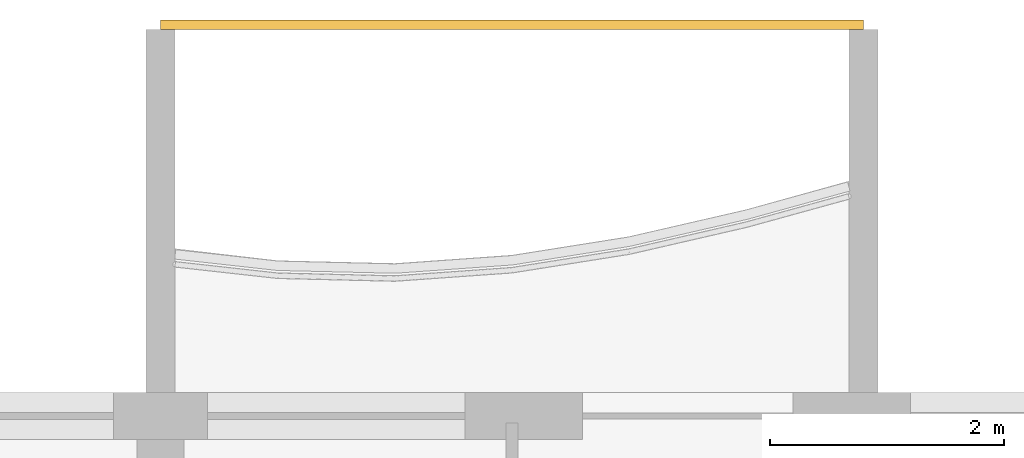
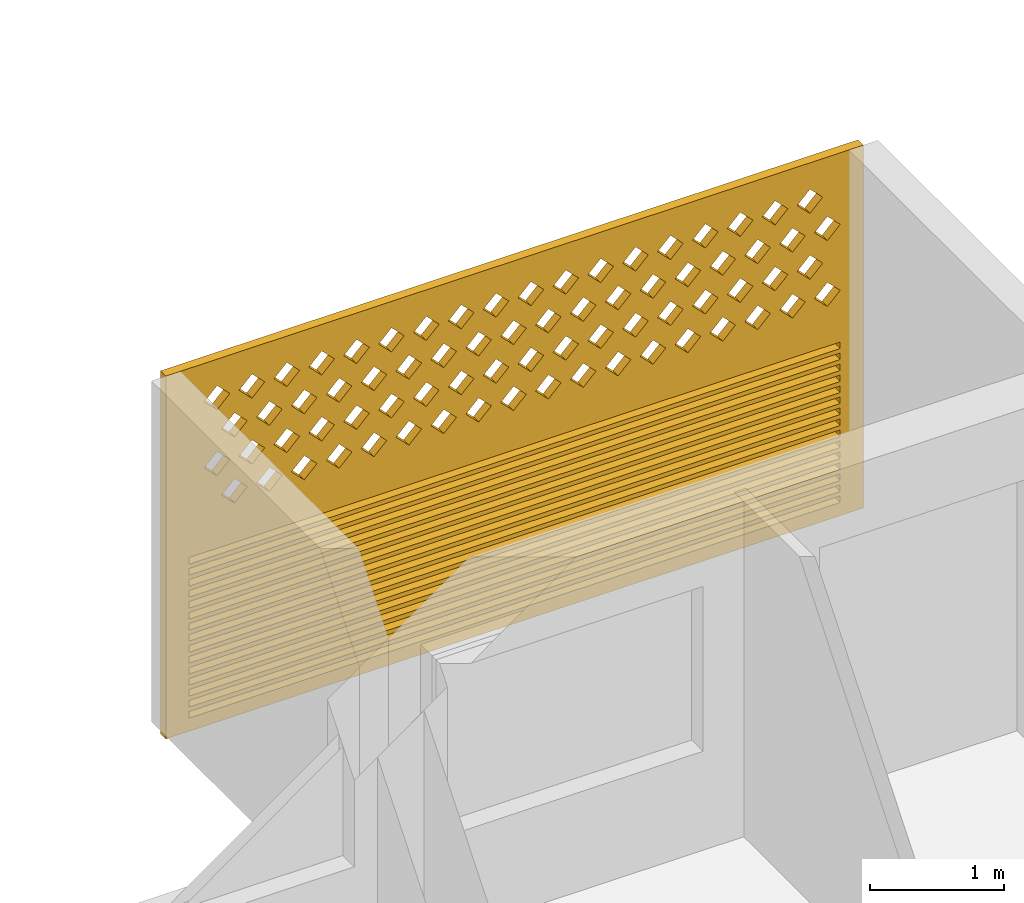
# One storey, part 31 of 40: 1 covering.
"""IFC4 building model written with IfcOpenShell, lengths in metres."""

import ifcopenshell
import ifcopenshell.guid

model = None  # the IFC model being written
_history = None  # IfcOwnerHistory: only IFC2X3 demands one
_inside = {}  # id of a spatial element -> (the spatial element, [elements in it])
_under = {}  # id of a project, library or spatial element -> (it, [spatial elements below it])
_declared = {}  # id of a project -> (the project, [libraries it declares])
_typed = {}  # id of a type object -> (the type object, [elements of that type])
_made_of = {}  # id of a material, layer set ... -> (it, [elements and type objects made of it])


def new_model(schema):
    """Start an empty IFC model of exactly this schema.

    Asked for "IFC4X3", IfcOpenShell would pick the latest addendum, in which some entities
    have other attributes; the version numbers below select the first issue.
    IFC2X3 requires an IfcOwnerHistory on every rooted entity: one is made here for all.
    """
    global model, _history
    if schema == "IFC4X3":
        model = ifcopenshell.file(schema_version=(4, 3, 0, 0))
    else:
        model = ifcopenshell.file(schema=schema)
    _inside.clear()
    _under.clear()
    _declared.clear()
    _typed.clear()
    _made_of.clear()
    _history = None
    if model.schema == "IFC2X3":
        org = make("IfcOrganization", Name="unknown")
        user = make(
            "IfcPersonAndOrganization",
            ThePerson=make("IfcPerson", FamilyName="unknown"),
            TheOrganization=org,
        )
        app = make(
            "IfcApplication",
            ApplicationDeveloper=org,
            Version="unknown",
            ApplicationFullName="unknown",
            ApplicationIdentifier="unknown",
        )
        _history = make(
            "IfcOwnerHistory",
            OwningUser=user,
            OwningApplication=app,
            ChangeAction="ADDED",
            CreationDate=0,
        )
    return model


def make(cls, **values):
    """One entity of the class cls with the attributes given. An attribute that is None is left unset."""
    return model.create_entity(
        cls, **{name: value for name, value in values.items() if value is not None}
    )


def rooted(cls, **values):
    """An entity with a GlobalId (a new one), such as an element, a storey or a relation."""
    return make(cls, GlobalId=ifcopenshell.guid.new(), OwnerHistory=_history, **values)


def si_unit(unit_type, name, prefix=None):
    """IfcSIUnit, for example si_unit("LENGTHUNIT", "METRE", prefix="MILLI")."""
    return make("IfcSIUnit", UnitType=unit_type, Prefix=prefix, Name=name)


def assignment(units):
    """IfcUnitAssignment: the units of a project."""
    return None if units is None else make("IfcUnitAssignment", Units=units)


def point(xyz):
    """IfcCartesianPoint."""
    return None if xyz is None else make("IfcCartesianPoint", Coordinates=xyz)


def direction(xyz):
    """IfcDirection."""
    return None if xyz is None else make("IfcDirection", DirectionRatios=xyz)


def frame(location, z_axis=None, x_axis=None):
    """IfcAxis2Placement3D, a coordinate frame: its origin and axes. An axis left out is left unset."""
    return make(
        "IfcAxis2Placement3D",
        Location=point(location),
        Axis=direction(z_axis),
        RefDirection=direction(x_axis),
    )


def origin():
    """The frame at (0, 0, 0) with its axes left unset."""
    return frame((0.0, 0.0, 0.0))


def place(relative_to, where):
    """IfcLocalPlacement: puts the frame where relative to a parent placement (None: the world)."""
    return make(
        "IfcLocalPlacement", PlacementRelTo=relative_to, RelativePlacement=where
    )


def context(
    kind, dimensions, precision=None, world=None, true_north=None, identifier=None
):
    """IfcGeometricRepresentationContext, for example the 3D "Model" context."""
    return make(
        "IfcGeometricRepresentationContext",
        ContextIdentifier=identifier,
        ContextType=kind,
        CoordinateSpaceDimension=dimensions,
        Precision=precision,
        WorldCoordinateSystem=world,
        TrueNorth=true_north,
    )


def subcontext(parent, identifier, kind, view, scale=None):
    """IfcGeometricRepresentationSubContext, for example "Body" below "Model"."""
    return make(
        "IfcGeometricRepresentationSubContext",
        ContextIdentifier=identifier,
        ContextType=kind,
        ParentContext=parent,
        TargetScale=scale,
        TargetView=view,
    )


def project(units=None, contexts=None):
    """IfcProject with its units and contexts."""
    return rooted(
        "IfcProject",
        Name="project",
        RepresentationContexts=contexts,
        UnitsInContext=assignment(units),
    )


def spatial(cls, under=None, at=None, **own):
    """A site, building, storey or space (cls), placed at a placement, below another one or the project."""
    s = rooted(cls, ObjectPlacement=at, **own)
    if under is not None:
        _under.setdefault(under.id(), (under, []))[1].append(s)
    return s


def polyline(points):
    """IfcPolyline through the points."""
    return make("IfcPolyline", Points=[point(p) for p in points])


def outline(outer, holes=None, kind="AREA"):
    """IfcArbitraryClosedProfileDef: a profile drawn as a closed curve; with holes, ...WithVoids."""
    if holes is None:
        return make("IfcArbitraryClosedProfileDef", ProfileType=kind, OuterCurve=outer)
    return make(
        "IfcArbitraryProfileDefWithVoids",
        ProfileType=kind,
        OuterCurve=outer,
        InnerCurves=holes,
    )


def extrude(swept, where, along, depth):
    """IfcExtrudedAreaSolid: the profile swept, set in the frame where, extruded along a direction by depth."""
    return make(
        "IfcExtrudedAreaSolid",
        SweptArea=swept,
        Position=where,
        ExtrudedDirection=direction(along),
        Depth=depth,
    )


def shape(context_of_items, identifier, shape_type, items):
    """IfcShapeRepresentation: the items that make up one representation, for example the "Body"."""
    return make(
        "IfcShapeRepresentation",
        ContextOfItems=context_of_items,
        RepresentationIdentifier=identifier,
        RepresentationType=shape_type,
        Items=items,
    )


def source(mapping_origin, context_of_items, identifier, shape_type, items):
    """IfcRepresentationMap: a shape defined once, which mapped items show again and again."""
    return make(
        "IfcRepresentationMap",
        MappingOrigin=mapping_origin,
        MappedRepresentation=shape(context_of_items, identifier, shape_type, items),
    )


def transform(
    local_origin,
    x_axis=None,
    y_axis=None,
    z_axis=None,
    scale=None,
    scale2=None,
    scale3=None,
    uniform=True,
):
    """IfcCartesianTransformationOperator3D, or its non-uniform kind. x_axis, y_axis, z_axis: its Axis1, 2, 3."""
    if uniform:
        return make(
            "IfcCartesianTransformationOperator3D",
            Axis1=direction(x_axis),
            Axis2=direction(y_axis),
            LocalOrigin=point(local_origin),
            Scale=scale,
            Axis3=direction(z_axis),
        )
    return make(
        "IfcCartesianTransformationOperator3DnonUniform",
        Axis1=direction(x_axis),
        Axis2=direction(y_axis),
        LocalOrigin=point(local_origin),
        Scale=scale,
        Axis3=direction(z_axis),
        Scale2=scale2,
        Scale3=scale3,
    )


def mapped(mapping_source, mapping_target):
    """IfcMappedItem: shows the shape of a source again, moved by a transform."""
    return make(
        "IfcMappedItem", MappingSource=mapping_source, MappingTarget=mapping_target
    )


def material(Name=None, Category=None):
    """IfcMaterial."""
    return make("IfcMaterial", Name=Name, Category=Category)


def material_profile(
    of_material, cross_section, Name=None, Category=None, Priority=None
):
    """IfcMaterialProfile: a cross section and its material."""
    return make(
        "IfcMaterialProfile",
        Name=Name,
        Material=of_material,
        Profile=cross_section,
        Priority=Priority,
        Category=Category,
    )


def profile_set(profiles, Name=None, composite=None):
    """IfcMaterialProfileSet."""
    return make(
        "IfcMaterialProfileSet",
        Name=Name,
        MaterialProfiles=profiles,
        CompositeProfile=composite,
    )


def made_of(thing, what):
    """Note that an element or type object is made of a material, layer set ...; save() writes the relation."""
    if what is not None:
        _made_of.setdefault(what.id(), (what, []))[1].append(thing)
    return thing


def type_object(cls, material=None, **own):
    """A type object (cls), such as IfcWallType, which elements share."""
    return made_of(rooted(cls, **own), material)


def element(
    cls,
    number,
    at=None,
    inside=None,
    cuts=None,
    type_object=None,
    material=None,
    context=None,
    identifier="Body",
    shape_type=None,
    held_by="IfcProductDefinitionShape",
    body=None,
    shapes=None,
    **own,
):
    """One element of the class cls, such as IfcWall. Its Tag is "e" and its number.

    at: its placement. inside: the storey or other place that contains it. cuts: it is an
    opening in that element (IfcRelVoidsElement). A single representation is given by context,
    identifier, shape_type and body (its items); several are given by shapes. held_by: the class
    of the entity that holds the representations. save() writes the other relations.
    """
    e = rooted(cls, Tag="e%d" % number, ObjectPlacement=at, **own)
    if body is not None:
        shapes = [shape(context, identifier, shape_type, body)]
    if shapes is not None:
        e.Representation = make(held_by, Representations=shapes)
    if inside is not None:
        _inside.setdefault(inside.id(), (inside, []))[1].append(e)
    if cuts is not None:
        rooted(
            "IfcRelVoidsElement", RelatingBuildingElement=cuts, RelatedOpeningElement=e
        )
    if type_object is not None:
        _typed.setdefault(type_object.id(), (type_object, []))[1].append(e)
    return made_of(e, material)


def aggregate(whole, parts):
    """IfcRelAggregates: a whole, such as a stair, and the parts it consists of."""
    return rooted("IfcRelAggregates", RelatingObject=whole, RelatedObjects=parts)


def save(model, path):
    """Write the relations noted so far, then the file.

    IfcRelAggregates (storeys below a building ...), IfcRelContainedInSpatialStructure (elements
    in a storey), IfcRelDefinesByType, IfcRelAssociatesMaterial and IfcRelDeclares: one each for
    every whole, place, type object, material and project.
    """
    for whole, parts in _under.values():
        aggregate(whole, parts)
    for where, things in _inside.values():
        rooted(
            "IfcRelContainedInSpatialStructure",
            RelatedElements=things,
            RelatingStructure=where,
        )
    for kind, things in _typed.values():
        rooted("IfcRelDefinesByType", RelatedObjects=things, RelatingType=kind)
    for what, things in _made_of.values():
        rooted("IfcRelAssociatesMaterial", RelatedObjects=things, RelatingMaterial=what)
    for by, libraries in _declared.values():
        rooted("IfcRelDeclares", RelatingContext=by, RelatedDefinitions=libraries)
    model.write(path)


model = new_model("IFC4")

# Units and contexts
model_context = context("Model", 3, precision=1e-05, world=origin(), true_north=direction((0.0, 1.0)))
body_context = subcontext(model_context, "Body", "Model", "MODEL_VIEW")
ifc_project = project(units=[si_unit("LENGTHUNIT", "METRE"), si_unit("AREAUNIT", "SQUARE_METRE"), si_unit("VOLUMEUNIT", "CUBIC_METRE"), si_unit("PLANEANGLEUNIT", "RADIAN"), si_unit("MASSUNIT", "GRAM", prefix="KILO")], contexts=[model_context])

# Site, building, storey
site_placement = place(None, origin())
site = spatial("IfcSite", under=ifc_project, at=site_placement, CompositionType="ELEMENT")
building_placement = place(site_placement, origin())
building = spatial("IfcBuilding", under=site, at=building_placement, Name="Poui Terraces", CompositionType="ELEMENT")
storey_placement = place(building_placement, frame((0.0, 0.0, 33.300048828125)))
storey = spatial("IfcBuildingStorey", under=building, at=storey_placement, Name="L08", CompositionType="ELEMENT", Elevation=33.300048828125)

# Covering
ifc_material = material(Name="Terracotta screen", Category="masonry")
ifc_material_profile = material_profile(ifc_material, outline(polyline([(-3.0, -1.64990234375), (3.0, -1.64990234375), (3.0, 1.64990234375), (-3.0, 1.64990234375), (-3.0, -1.64990234375)]), holes=[polyline([(-2.800048828125, 0.39990234375), (-2.68994140625, 0.2900390625), (-2.580078125, 0.39990234375), (-2.68994140625, 0.510009765625), (-2.800048828125, 0.39990234375)]), polyline([(-2.5, 0.39990234375), (-2.389892578125, 0.2900390625), (-2.280029296875, 0.39990234375), (-2.389892578125, 0.510009765625), (-2.5, 0.39990234375)]), polyline([(-2.199951171875, 0.39990234375), (-2.090087890625, 0.2900390625), (-1.97998046875, 0.39990234375), (-2.090087890625, 0.510009765625), (-2.199951171875, 0.39990234375)]), polyline([(-1.89990234375, 0.39990234375), (-1.7900390625, 0.2900390625), (-1.679931640625, 0.39990234375), (-1.7900390625, 0.510009765625), (-1.89990234375, 0.39990234375)]), polyline([(-1.60009765625, 0.39990234375), (-1.489990234375, 0.2900390625), (-1.3798828125, 0.39990234375), (-1.489990234375, 0.510009765625), (-1.60009765625, 0.39990234375)]), polyline([(-1.300048828125, 0.39990234375), (-1.18994140625, 0.2900390625), (-1.080078125, 0.39990234375), (-1.18994140625, 0.510009765625), (-1.300048828125, 0.39990234375)]), polyline([(-1.0, 0.39990234375), (-0.889892578125, 0.2900390625), (-0.780029296875, 0.39990234375), (-0.889892578125, 0.510009765625), (-1.0, 0.39990234375)]), polyline([(-0.699951171875, 0.39990234375), (-0.590087890625, 0.2900390625), (-0.47998046875, 0.39990234375), (-0.590087890625, 0.510009765625), (-0.699951171875, 0.39990234375)]), polyline([(-0.39990234375, 0.39990234375), (-0.2900390625, 0.2900390625), (-0.179931640625, 0.39990234375), (-0.2900390625, 0.510009765625), (-0.39990234375, 0.39990234375)]), polyline([(-0.10009765625, 0.39990234375), (0.010009765625, 0.2900390625), (0.1201171875, 0.39990234375), (0.010009765625, 0.510009765625), (-0.10009765625, 0.39990234375)]), polyline([(0.199951171875, 0.39990234375), (0.31005859375, 0.2900390625), (0.419921875, 0.39990234375), (0.31005859375, 0.510009765625), (0.199951171875, 0.39990234375)]), polyline([(0.5, 0.39990234375), (0.610107421875, 0.2900390625), (0.719970703125, 0.39990234375), (0.610107421875, 0.510009765625), (0.5, 0.39990234375)]), polyline([(0.800048828125, 0.39990234375), (0.909912109375, 0.2900390625), (1.02001953125, 0.39990234375), (0.909912109375, 0.510009765625), (0.800048828125, 0.39990234375)]), polyline([(1.10009765625, 0.39990234375), (1.2099609375, 0.2900390625), (1.320068359375, 0.39990234375), (1.2099609375, 0.510009765625), (1.10009765625, 0.39990234375)]), polyline([(1.39990234375, 0.39990234375), (1.510009765625, 0.2900390625), (1.6201171875, 0.39990234375), (1.510009765625, 0.510009765625), (1.39990234375, 0.39990234375)]), polyline([(1.699951171875, 0.39990234375), (1.81005859375, 0.2900390625), (1.919921875, 0.39990234375), (1.81005859375, 0.510009765625), (1.699951171875, 0.39990234375)]), polyline([(2.0, 0.39990234375), (2.110107421875, 0.2900390625), (2.219970703125, 0.39990234375), (2.110107421875, 0.510009765625), (2.0, 0.39990234375)]), polyline([(2.300048828125, 0.39990234375), (2.409912109375, 0.2900390625), (2.52001953125, 0.39990234375), (2.409912109375, 0.510009765625), (2.300048828125, 0.39990234375)]), polyline([(-2.64990234375, 0.699951171875), (-2.5400390625, 0.590087890625), (-2.429931640625, 0.699951171875), (-2.5400390625, 0.81005859375), (-2.64990234375, 0.699951171875)]), polyline([(-2.35009765625, 0.699951171875), (-2.239990234375, 0.590087890625), (-2.1298828125, 0.699951171875), (-2.239990234375, 0.81005859375), (-2.35009765625, 0.699951171875)]), polyline([(-2.050048828125, 0.699951171875), (-1.93994140625, 0.590087890625), (-1.830078125, 0.699951171875), (-1.93994140625, 0.81005859375), (-2.050048828125, 0.699951171875)]), polyline([(-1.75, 0.699951171875), (-1.639892578125, 0.590087890625), (-1.530029296875, 0.699951171875), (-1.639892578125, 0.81005859375), (-1.75, 0.699951171875)]), polyline([(-1.449951171875, 0.699951171875), (-1.340087890625, 0.590087890625), (-1.22998046875, 0.699951171875), (-1.340087890625, 0.81005859375), (-1.449951171875, 0.699951171875)]), polyline([(-1.14990234375, 0.699951171875), (-1.0400390625, 0.590087890625), (-0.929931640625, 0.699951171875), (-1.0400390625, 0.81005859375), (-1.14990234375, 0.699951171875)]), polyline([(-0.85009765625, 0.699951171875), (-0.739990234375, 0.590087890625), (-0.6298828125, 0.699951171875), (-0.739990234375, 0.81005859375), (-0.85009765625, 0.699951171875)]), polyline([(-0.550048828125, 0.699951171875), (-0.43994140625, 0.590087890625), (-0.330078125, 0.699951171875), (-0.43994140625, 0.81005859375), (-0.550048828125, 0.699951171875)]), polyline([(-0.25, 0.699951171875), (-0.139892578125, 0.590087890625), (-0.030029296875, 0.699951171875), (-0.139892578125, 0.81005859375), (-0.25, 0.699951171875)]), polyline([(0.050048828125, 0.699951171875), (0.159912109375, 0.590087890625), (0.27001953125, 0.699951171875), (0.159912109375, 0.81005859375), (0.050048828125, 0.699951171875)]), polyline([(0.35009765625, 0.699951171875), (0.4599609375, 0.590087890625), (0.570068359375, 0.699951171875), (0.4599609375, 0.81005859375), (0.35009765625, 0.699951171875)]), polyline([(0.64990234375, 0.699951171875), (0.760009765625, 0.590087890625), (0.8701171875, 0.699951171875), (0.760009765625, 0.81005859375), (0.64990234375, 0.699951171875)]), polyline([(0.949951171875, 0.699951171875), (1.06005859375, 0.590087890625), (1.169921875, 0.699951171875), (1.06005859375, 0.81005859375), (0.949951171875, 0.699951171875)]), polyline([(1.25, 0.699951171875), (1.360107421875, 0.590087890625), (1.469970703125, 0.699951171875), (1.360107421875, 0.81005859375), (1.25, 0.699951171875)]), polyline([(1.550048828125, 0.699951171875), (1.659912109375, 0.590087890625), (1.77001953125, 0.699951171875), (1.659912109375, 0.81005859375), (1.550048828125, 0.699951171875)]), polyline([(1.85009765625, 0.699951171875), (1.9599609375, 0.590087890625), (2.070068359375, 0.699951171875), (1.9599609375, 0.81005859375), (1.85009765625, 0.699951171875)]), polyline([(2.14990234375, 0.699951171875), (2.260009765625, 0.590087890625), (2.3701171875, 0.699951171875), (2.260009765625, 0.81005859375), (2.14990234375, 0.699951171875)]), polyline([(2.449951171875, 0.699951171875), (2.56005859375, 0.590087890625), (2.669921875, 0.699951171875), (2.56005859375, 0.81005859375), (2.449951171875, 0.699951171875)]), polyline([(-2.800048828125, 1.0), (-2.68994140625, 0.889892578125), (-2.580078125, 1.0), (-2.68994140625, 1.110107421875), (-2.800048828125, 1.0)]), polyline([(-2.5, 1.0), (-2.389892578125, 0.889892578125), (-2.280029296875, 1.0), (-2.389892578125, 1.110107421875), (-2.5, 1.0)]), polyline([(-2.199951171875, 1.0), (-2.090087890625, 0.889892578125), (-1.97998046875, 1.0), (-2.090087890625, 1.110107421875), (-2.199951171875, 1.0)]), polyline([(-1.89990234375, 1.0), (-1.7900390625, 0.889892578125), (-1.679931640625, 1.0), (-1.7900390625, 1.110107421875), (-1.89990234375, 1.0)]), polyline([(-1.60009765625, 1.0), (-1.489990234375, 0.889892578125), (-1.3798828125, 1.0), (-1.489990234375, 1.110107421875), (-1.60009765625, 1.0)]), polyline([(-1.300048828125, 1.0), (-1.18994140625, 0.889892578125), (-1.080078125, 1.0), (-1.18994140625, 1.110107421875), (-1.300048828125, 1.0)]), polyline([(-1.0, 1.0), (-0.889892578125, 0.889892578125), (-0.780029296875, 1.0), (-0.889892578125, 1.110107421875), (-1.0, 1.0)]), polyline([(-0.699951171875, 1.0), (-0.590087890625, 0.889892578125), (-0.47998046875, 1.0), (-0.590087890625, 1.110107421875), (-0.699951171875, 1.0)]), polyline([(-0.39990234375, 1.0), (-0.2900390625, 0.889892578125), (-0.179931640625, 1.0), (-0.2900390625, 1.110107421875), (-0.39990234375, 1.0)]), polyline([(-0.10009765625, 1.0), (0.010009765625, 0.889892578125), (0.1201171875, 1.0), (0.010009765625, 1.110107421875), (-0.10009765625, 1.0)]), polyline([(0.199951171875, 1.0), (0.31005859375, 0.889892578125), (0.419921875, 1.0), (0.31005859375, 1.110107421875), (0.199951171875, 1.0)]), polyline([(0.5, 1.0), (0.610107421875, 0.889892578125), (0.719970703125, 1.0), (0.610107421875, 1.110107421875), (0.5, 1.0)]), polyline([(0.800048828125, 1.0), (0.909912109375, 0.889892578125), (1.02001953125, 1.0), (0.909912109375, 1.110107421875), (0.800048828125, 1.0)]), polyline([(1.10009765625, 1.0), (1.2099609375, 0.889892578125), (1.320068359375, 1.0), (1.2099609375, 1.110107421875), (1.10009765625, 1.0)]), polyline([(1.39990234375, 1.0), (1.510009765625, 0.889892578125), (1.6201171875, 1.0), (1.510009765625, 1.110107421875), (1.39990234375, 1.0)]), polyline([(1.699951171875, 1.0), (1.81005859375, 0.889892578125), (1.919921875, 1.0), (1.81005859375, 1.110107421875), (1.699951171875, 1.0)]), polyline([(2.0, 1.0), (2.110107421875, 0.889892578125), (2.219970703125, 1.0), (2.110107421875, 1.110107421875), (2.0, 1.0)]), polyline([(2.300048828125, 1.0), (2.409912109375, 0.889892578125), (2.52001953125, 1.0), (2.409912109375, 1.110107421875), (2.300048828125, 1.0)]), polyline([(-2.64990234375, 1.300048828125), (-2.5400390625, 1.18994140625), (-2.429931640625, 1.300048828125), (-2.5400390625, 1.409912109375), (-2.64990234375, 1.300048828125)]), polyline([(-2.35009765625, 1.300048828125), (-2.239990234375, 1.18994140625), (-2.1298828125, 1.300048828125), (-2.239990234375, 1.409912109375), (-2.35009765625, 1.300048828125)]), polyline([(-2.050048828125, 1.300048828125), (-1.93994140625, 1.18994140625), (-1.830078125, 1.300048828125), (-1.93994140625, 1.409912109375), (-2.050048828125, 1.300048828125)]), polyline([(-1.75, 1.300048828125), (-1.639892578125, 1.18994140625), (-1.530029296875, 1.300048828125), (-1.639892578125, 1.409912109375), (-1.75, 1.300048828125)]), polyline([(-1.449951171875, 1.300048828125), (-1.340087890625, 1.18994140625), (-1.22998046875, 1.300048828125), (-1.340087890625, 1.409912109375), (-1.449951171875, 1.300048828125)]), polyline([(-1.14990234375, 1.300048828125), (-1.0400390625, 1.18994140625), (-0.929931640625, 1.300048828125), (-1.0400390625, 1.409912109375), (-1.14990234375, 1.300048828125)]), polyline([(-0.85009765625, 1.300048828125), (-0.739990234375, 1.18994140625), (-0.6298828125, 1.300048828125), (-0.739990234375, 1.409912109375), (-0.85009765625, 1.300048828125)]), polyline([(-0.550048828125, 1.300048828125), (-0.43994140625, 1.18994140625), (-0.330078125, 1.300048828125), (-0.43994140625, 1.409912109375), (-0.550048828125, 1.300048828125)]), polyline([(-0.25, 1.300048828125), (-0.139892578125, 1.18994140625), (-0.030029296875, 1.300048828125), (-0.139892578125, 1.409912109375), (-0.25, 1.300048828125)]), polyline([(0.050048828125, 1.300048828125), (0.159912109375, 1.18994140625), (0.27001953125, 1.300048828125), (0.159912109375, 1.409912109375), (0.050048828125, 1.300048828125)]), polyline([(0.35009765625, 1.300048828125), (0.4599609375, 1.18994140625), (0.570068359375, 1.300048828125), (0.4599609375, 1.409912109375), (0.35009765625, 1.300048828125)]), polyline([(0.64990234375, 1.300048828125), (0.760009765625, 1.18994140625), (0.8701171875, 1.300048828125), (0.760009765625, 1.409912109375), (0.64990234375, 1.300048828125)]), polyline([(0.949951171875, 1.300048828125), (1.06005859375, 1.18994140625), (1.169921875, 1.300048828125), (1.06005859375, 1.409912109375), (0.949951171875, 1.300048828125)]), polyline([(1.25, 1.300048828125), (1.360107421875, 1.18994140625), (1.469970703125, 1.300048828125), (1.360107421875, 1.409912109375), (1.25, 1.300048828125)]), polyline([(1.550048828125, 1.300048828125), (1.659912109375, 1.18994140625), (1.77001953125, 1.300048828125), (1.659912109375, 1.409912109375), (1.550048828125, 1.300048828125)]), polyline([(1.85009765625, 1.300048828125), (1.9599609375, 1.18994140625), (2.070068359375, 1.300048828125), (1.9599609375, 1.409912109375), (1.85009765625, 1.300048828125)]), polyline([(2.14990234375, 1.300048828125), (2.260009765625, 1.18994140625), (2.3701171875, 1.300048828125), (2.260009765625, 1.409912109375), (2.14990234375, 1.300048828125)]), polyline([(2.449951171875, 1.300048828125), (2.56005859375, 1.18994140625), (2.669921875, 1.300048828125), (2.56005859375, 1.409912109375), (2.449951171875, 1.300048828125)]), polyline([(-2.800048828125, -1.530029296875), (2.800048828125, -1.530029296875), (2.800048828125, -1.469970703125), (-2.800048828125, -1.469970703125), (-2.800048828125, -1.530029296875)]), polyline([(-2.800048828125, -1.429931640625), (2.800048828125, -1.429931640625), (2.800048828125, -1.3701171875), (-2.800048828125, -1.3701171875), (-2.800048828125, -1.429931640625)]), polyline([(-2.800048828125, -1.330078125), (2.800048828125, -1.330078125), (2.800048828125, -1.27001953125), (-2.800048828125, -1.27001953125), (-2.800048828125, -1.330078125)]), polyline([(-2.800048828125, -1.22998046875), (2.800048828125, -1.22998046875), (2.800048828125, -1.169921875), (-2.800048828125, -1.169921875), (-2.800048828125, -1.22998046875)]), polyline([(-2.800048828125, -1.1298828125), (2.800048828125, -1.1298828125), (2.800048828125, -1.070068359375), (-2.800048828125, -1.070068359375), (-2.800048828125, -1.1298828125)]), polyline([(-2.800048828125, -1.030029296875), (2.800048828125, -1.030029296875), (2.800048828125, -0.969970703125), (-2.800048828125, -0.969970703125), (-2.800048828125, -1.030029296875)]), polyline([(-2.800048828125, -0.929931640625), (2.800048828125, -0.929931640625), (2.800048828125, -0.8701171875), (-2.800048828125, -0.8701171875), (-2.800048828125, -0.929931640625)]), polyline([(-2.800048828125, -0.830078125), (2.800048828125, -0.830078125), (2.800048828125, -0.77001953125), (-2.800048828125, -0.77001953125), (-2.800048828125, -0.830078125)]), polyline([(-2.800048828125, -0.72998046875), (2.800048828125, -0.72998046875), (2.800048828125, -0.669921875), (-2.800048828125, -0.669921875), (-2.800048828125, -0.72998046875)]), polyline([(-2.800048828125, -0.6298828125), (2.800048828125, -0.6298828125), (2.800048828125, -0.570068359375), (-2.800048828125, -0.570068359375), (-2.800048828125, -0.6298828125)]), polyline([(-2.800048828125, -0.530029296875), (2.800048828125, -0.530029296875), (2.800048828125, -0.469970703125), (-2.800048828125, -0.469970703125), (-2.800048828125, -0.530029296875)]), polyline([(-2.800048828125, -0.429931640625), (2.800048828125, -0.429931640625), (2.800048828125, -0.3701171875), (-2.800048828125, -0.3701171875), (-2.800048828125, -0.429931640625)]), polyline([(-2.800048828125, -0.330078125), (2.800048828125, -0.330078125), (2.800048828125, -0.27001953125), (-2.800048828125, -0.27001953125), (-2.800048828125, -0.330078125)]), polyline([(-2.800048828125, -0.22998046875), (2.800048828125, -0.22998046875), (2.800048828125, -0.169921875), (-2.800048828125, -0.169921875), (-2.800048828125, -0.22998046875)]), polyline([(-2.800048828125, -0.1298828125), (2.800048828125, -0.1298828125), (2.800048828125, -0.070068359375), (-2.800048828125, -0.070068359375), (-2.800048828125, -0.1298828125)])]), Name="TERRACOTTA SCREEN AND JALOUSIE LOUVRE 6000X3300")
ifc_profile_set = profile_set([ifc_material_profile], Name="Terracotta screen")
covering_type = type_object("IfcCoveringType", Name="TERRACOTTA SCREEN AND JALOUSIE LOUVRE 6000X3300", PredefinedType="CLADDING", material=ifc_profile_set)
shared_shape = source(origin(), body_context, "Body", "SweptSolid", [
    extrude(outline(polyline([(-3.0, -1.64990234375), (3.0, -1.64990234375), (3.0, 1.64990234375), (-3.0, 1.64990234375), (-3.0, -1.64990234375)]), holes=[polyline([(-2.800048828125, 0.39990234375), (-2.68994140625, 0.2900390625), (-2.580078125, 0.39990234375), (-2.68994140625, 0.510009765625), (-2.800048828125, 0.39990234375)]), polyline([(-2.5, 0.39990234375), (-2.389892578125, 0.2900390625), (-2.280029296875, 0.39990234375), (-2.389892578125, 0.510009765625), (-2.5, 0.39990234375)]), polyline([(-2.199951171875, 0.39990234375), (-2.090087890625, 0.2900390625), (-1.97998046875, 0.39990234375), (-2.090087890625, 0.510009765625), (-2.199951171875, 0.39990234375)]), polyline([(-1.89990234375, 0.39990234375), (-1.7900390625, 0.2900390625), (-1.679931640625, 0.39990234375), (-1.7900390625, 0.510009765625), (-1.89990234375, 0.39990234375)]), polyline([(-1.60009765625, 0.39990234375), (-1.489990234375, 0.2900390625), (-1.3798828125, 0.39990234375), (-1.489990234375, 0.510009765625), (-1.60009765625, 0.39990234375)]), polyline([(-1.300048828125, 0.39990234375), (-1.18994140625, 0.2900390625), (-1.080078125, 0.39990234375), (-1.18994140625, 0.510009765625), (-1.300048828125, 0.39990234375)]), polyline([(-1.0, 0.39990234375), (-0.889892578125, 0.2900390625), (-0.780029296875, 0.39990234375), (-0.889892578125, 0.510009765625), (-1.0, 0.39990234375)]), polyline([(-0.699951171875, 0.39990234375), (-0.590087890625, 0.2900390625), (-0.47998046875, 0.39990234375), (-0.590087890625, 0.510009765625), (-0.699951171875, 0.39990234375)]), polyline([(-0.39990234375, 0.39990234375), (-0.2900390625, 0.2900390625), (-0.179931640625, 0.39990234375), (-0.2900390625, 0.510009765625), (-0.39990234375, 0.39990234375)]), polyline([(-0.10009765625, 0.39990234375), (0.010009765625, 0.2900390625), (0.1201171875, 0.39990234375), (0.010009765625, 0.510009765625), (-0.10009765625, 0.39990234375)]), polyline([(0.199951171875, 0.39990234375), (0.31005859375, 0.2900390625), (0.419921875, 0.39990234375), (0.31005859375, 0.510009765625), (0.199951171875, 0.39990234375)]), polyline([(0.5, 0.39990234375), (0.610107421875, 0.2900390625), (0.719970703125, 0.39990234375), (0.610107421875, 0.510009765625), (0.5, 0.39990234375)]), polyline([(0.800048828125, 0.39990234375), (0.909912109375, 0.2900390625), (1.02001953125, 0.39990234375), (0.909912109375, 0.510009765625), (0.800048828125, 0.39990234375)]), polyline([(1.10009765625, 0.39990234375), (1.2099609375, 0.2900390625), (1.320068359375, 0.39990234375), (1.2099609375, 0.510009765625), (1.10009765625, 0.39990234375)]), polyline([(1.39990234375, 0.39990234375), (1.510009765625, 0.2900390625), (1.6201171875, 0.39990234375), (1.510009765625, 0.510009765625), (1.39990234375, 0.39990234375)]), polyline([(1.699951171875, 0.39990234375), (1.81005859375, 0.2900390625), (1.919921875, 0.39990234375), (1.81005859375, 0.510009765625), (1.699951171875, 0.39990234375)]), polyline([(2.0, 0.39990234375), (2.110107421875, 0.2900390625), (2.219970703125, 0.39990234375), (2.110107421875, 0.510009765625), (2.0, 0.39990234375)]), polyline([(2.300048828125, 0.39990234375), (2.409912109375, 0.2900390625), (2.52001953125, 0.39990234375), (2.409912109375, 0.510009765625), (2.300048828125, 0.39990234375)]), polyline([(-2.64990234375, 0.699951171875), (-2.5400390625, 0.590087890625), (-2.429931640625, 0.699951171875), (-2.5400390625, 0.81005859375), (-2.64990234375, 0.699951171875)]), polyline([(-2.35009765625, 0.699951171875), (-2.239990234375, 0.590087890625), (-2.1298828125, 0.699951171875), (-2.239990234375, 0.81005859375), (-2.35009765625, 0.699951171875)]), polyline([(-2.050048828125, 0.699951171875), (-1.93994140625, 0.590087890625), (-1.830078125, 0.699951171875), (-1.93994140625, 0.81005859375), (-2.050048828125, 0.699951171875)]), polyline([(-1.75, 0.699951171875), (-1.639892578125, 0.590087890625), (-1.530029296875, 0.699951171875), (-1.639892578125, 0.81005859375), (-1.75, 0.699951171875)]), polyline([(-1.449951171875, 0.699951171875), (-1.340087890625, 0.590087890625), (-1.22998046875, 0.699951171875), (-1.340087890625, 0.81005859375), (-1.449951171875, 0.699951171875)]), polyline([(-1.14990234375, 0.699951171875), (-1.0400390625, 0.590087890625), (-0.929931640625, 0.699951171875), (-1.0400390625, 0.81005859375), (-1.14990234375, 0.699951171875)]), polyline([(-0.85009765625, 0.699951171875), (-0.739990234375, 0.590087890625), (-0.6298828125, 0.699951171875), (-0.739990234375, 0.81005859375), (-0.85009765625, 0.699951171875)]), polyline([(-0.550048828125, 0.699951171875), (-0.43994140625, 0.590087890625), (-0.330078125, 0.699951171875), (-0.43994140625, 0.81005859375), (-0.550048828125, 0.699951171875)]), polyline([(-0.25, 0.699951171875), (-0.139892578125, 0.590087890625), (-0.030029296875, 0.699951171875), (-0.139892578125, 0.81005859375), (-0.25, 0.699951171875)]), polyline([(0.050048828125, 0.699951171875), (0.159912109375, 0.590087890625), (0.27001953125, 0.699951171875), (0.159912109375, 0.81005859375), (0.050048828125, 0.699951171875)]), polyline([(0.35009765625, 0.699951171875), (0.4599609375, 0.590087890625), (0.570068359375, 0.699951171875), (0.4599609375, 0.81005859375), (0.35009765625, 0.699951171875)]), polyline([(0.64990234375, 0.699951171875), (0.760009765625, 0.590087890625), (0.8701171875, 0.699951171875), (0.760009765625, 0.81005859375), (0.64990234375, 0.699951171875)]), polyline([(0.949951171875, 0.699951171875), (1.06005859375, 0.590087890625), (1.169921875, 0.699951171875), (1.06005859375, 0.81005859375), (0.949951171875, 0.699951171875)]), polyline([(1.25, 0.699951171875), (1.360107421875, 0.590087890625), (1.469970703125, 0.699951171875), (1.360107421875, 0.81005859375), (1.25, 0.699951171875)]), polyline([(1.550048828125, 0.699951171875), (1.659912109375, 0.590087890625), (1.77001953125, 0.699951171875), (1.659912109375, 0.81005859375), (1.550048828125, 0.699951171875)]), polyline([(1.85009765625, 0.699951171875), (1.9599609375, 0.590087890625), (2.070068359375, 0.699951171875), (1.9599609375, 0.81005859375), (1.85009765625, 0.699951171875)]), polyline([(2.14990234375, 0.699951171875), (2.260009765625, 0.590087890625), (2.3701171875, 0.699951171875), (2.260009765625, 0.81005859375), (2.14990234375, 0.699951171875)]), polyline([(2.449951171875, 0.699951171875), (2.56005859375, 0.590087890625), (2.669921875, 0.699951171875), (2.56005859375, 0.81005859375), (2.449951171875, 0.699951171875)]), polyline([(-2.800048828125, 1.0), (-2.68994140625, 0.889892578125), (-2.580078125, 1.0), (-2.68994140625, 1.110107421875), (-2.800048828125, 1.0)]), polyline([(-2.5, 1.0), (-2.389892578125, 0.889892578125), (-2.280029296875, 1.0), (-2.389892578125, 1.110107421875), (-2.5, 1.0)]), polyline([(-2.199951171875, 1.0), (-2.090087890625, 0.889892578125), (-1.97998046875, 1.0), (-2.090087890625, 1.110107421875), (-2.199951171875, 1.0)]), polyline([(-1.89990234375, 1.0), (-1.7900390625, 0.889892578125), (-1.679931640625, 1.0), (-1.7900390625, 1.110107421875), (-1.89990234375, 1.0)]), polyline([(-1.60009765625, 1.0), (-1.489990234375, 0.889892578125), (-1.3798828125, 1.0), (-1.489990234375, 1.110107421875), (-1.60009765625, 1.0)]), polyline([(-1.300048828125, 1.0), (-1.18994140625, 0.889892578125), (-1.080078125, 1.0), (-1.18994140625, 1.110107421875), (-1.300048828125, 1.0)]), polyline([(-1.0, 1.0), (-0.889892578125, 0.889892578125), (-0.780029296875, 1.0), (-0.889892578125, 1.110107421875), (-1.0, 1.0)]), polyline([(-0.699951171875, 1.0), (-0.590087890625, 0.889892578125), (-0.47998046875, 1.0), (-0.590087890625, 1.110107421875), (-0.699951171875, 1.0)]), polyline([(-0.39990234375, 1.0), (-0.2900390625, 0.889892578125), (-0.179931640625, 1.0), (-0.2900390625, 1.110107421875), (-0.39990234375, 1.0)]), polyline([(-0.10009765625, 1.0), (0.010009765625, 0.889892578125), (0.1201171875, 1.0), (0.010009765625, 1.110107421875), (-0.10009765625, 1.0)]), polyline([(0.199951171875, 1.0), (0.31005859375, 0.889892578125), (0.419921875, 1.0), (0.31005859375, 1.110107421875), (0.199951171875, 1.0)]), polyline([(0.5, 1.0), (0.610107421875, 0.889892578125), (0.719970703125, 1.0), (0.610107421875, 1.110107421875), (0.5, 1.0)]), polyline([(0.800048828125, 1.0), (0.909912109375, 0.889892578125), (1.02001953125, 1.0), (0.909912109375, 1.110107421875), (0.800048828125, 1.0)]), polyline([(1.10009765625, 1.0), (1.2099609375, 0.889892578125), (1.320068359375, 1.0), (1.2099609375, 1.110107421875), (1.10009765625, 1.0)]), polyline([(1.39990234375, 1.0), (1.510009765625, 0.889892578125), (1.6201171875, 1.0), (1.510009765625, 1.110107421875), (1.39990234375, 1.0)]), polyline([(1.699951171875, 1.0), (1.81005859375, 0.889892578125), (1.919921875, 1.0), (1.81005859375, 1.110107421875), (1.699951171875, 1.0)]), polyline([(2.0, 1.0), (2.110107421875, 0.889892578125), (2.219970703125, 1.0), (2.110107421875, 1.110107421875), (2.0, 1.0)]), polyline([(2.300048828125, 1.0), (2.409912109375, 0.889892578125), (2.52001953125, 1.0), (2.409912109375, 1.110107421875), (2.300048828125, 1.0)]), polyline([(-2.64990234375, 1.300048828125), (-2.5400390625, 1.18994140625), (-2.429931640625, 1.300048828125), (-2.5400390625, 1.409912109375), (-2.64990234375, 1.300048828125)]), polyline([(-2.35009765625, 1.300048828125), (-2.239990234375, 1.18994140625), (-2.1298828125, 1.300048828125), (-2.239990234375, 1.409912109375), (-2.35009765625, 1.300048828125)]), polyline([(-2.050048828125, 1.300048828125), (-1.93994140625, 1.18994140625), (-1.830078125, 1.300048828125), (-1.93994140625, 1.409912109375), (-2.050048828125, 1.300048828125)]), polyline([(-1.75, 1.300048828125), (-1.639892578125, 1.18994140625), (-1.530029296875, 1.300048828125), (-1.639892578125, 1.409912109375), (-1.75, 1.300048828125)]), polyline([(-1.449951171875, 1.300048828125), (-1.340087890625, 1.18994140625), (-1.22998046875, 1.300048828125), (-1.340087890625, 1.409912109375), (-1.449951171875, 1.300048828125)]), polyline([(-1.14990234375, 1.300048828125), (-1.0400390625, 1.18994140625), (-0.929931640625, 1.300048828125), (-1.0400390625, 1.409912109375), (-1.14990234375, 1.300048828125)]), polyline([(-0.85009765625, 1.300048828125), (-0.739990234375, 1.18994140625), (-0.6298828125, 1.300048828125), (-0.739990234375, 1.409912109375), (-0.85009765625, 1.300048828125)]), polyline([(-0.550048828125, 1.300048828125), (-0.43994140625, 1.18994140625), (-0.330078125, 1.300048828125), (-0.43994140625, 1.409912109375), (-0.550048828125, 1.300048828125)]), polyline([(-0.25, 1.300048828125), (-0.139892578125, 1.18994140625), (-0.030029296875, 1.300048828125), (-0.139892578125, 1.409912109375), (-0.25, 1.300048828125)]), polyline([(0.050048828125, 1.300048828125), (0.159912109375, 1.18994140625), (0.27001953125, 1.300048828125), (0.159912109375, 1.409912109375), (0.050048828125, 1.300048828125)]), polyline([(0.35009765625, 1.300048828125), (0.4599609375, 1.18994140625), (0.570068359375, 1.300048828125), (0.4599609375, 1.409912109375), (0.35009765625, 1.300048828125)]), polyline([(0.64990234375, 1.300048828125), (0.760009765625, 1.18994140625), (0.8701171875, 1.300048828125), (0.760009765625, 1.409912109375), (0.64990234375, 1.300048828125)]), polyline([(0.949951171875, 1.300048828125), (1.06005859375, 1.18994140625), (1.169921875, 1.300048828125), (1.06005859375, 1.409912109375), (0.949951171875, 1.300048828125)]), polyline([(1.25, 1.300048828125), (1.360107421875, 1.18994140625), (1.469970703125, 1.300048828125), (1.360107421875, 1.409912109375), (1.25, 1.300048828125)]), polyline([(1.550048828125, 1.300048828125), (1.659912109375, 1.18994140625), (1.77001953125, 1.300048828125), (1.659912109375, 1.409912109375), (1.550048828125, 1.300048828125)]), polyline([(1.85009765625, 1.300048828125), (1.9599609375, 1.18994140625), (2.070068359375, 1.300048828125), (1.9599609375, 1.409912109375), (1.85009765625, 1.300048828125)]), polyline([(2.14990234375, 1.300048828125), (2.260009765625, 1.18994140625), (2.3701171875, 1.300048828125), (2.260009765625, 1.409912109375), (2.14990234375, 1.300048828125)]), polyline([(2.449951171875, 1.300048828125), (2.56005859375, 1.18994140625), (2.669921875, 1.300048828125), (2.56005859375, 1.409912109375), (2.449951171875, 1.300048828125)]), polyline([(-2.800048828125, -1.530029296875), (2.800048828125, -1.530029296875), (2.800048828125, -1.469970703125), (-2.800048828125, -1.469970703125), (-2.800048828125, -1.530029296875)]), polyline([(-2.800048828125, -1.429931640625), (2.800048828125, -1.429931640625), (2.800048828125, -1.3701171875), (-2.800048828125, -1.3701171875), (-2.800048828125, -1.429931640625)]), polyline([(-2.800048828125, -1.330078125), (2.800048828125, -1.330078125), (2.800048828125, -1.27001953125), (-2.800048828125, -1.27001953125), (-2.800048828125, -1.330078125)]), polyline([(-2.800048828125, -1.22998046875), (2.800048828125, -1.22998046875), (2.800048828125, -1.169921875), (-2.800048828125, -1.169921875), (-2.800048828125, -1.22998046875)]), polyline([(-2.800048828125, -1.1298828125), (2.800048828125, -1.1298828125), (2.800048828125, -1.070068359375), (-2.800048828125, -1.070068359375), (-2.800048828125, -1.1298828125)]), polyline([(-2.800048828125, -1.030029296875), (2.800048828125, -1.030029296875), (2.800048828125, -0.969970703125), (-2.800048828125, -0.969970703125), (-2.800048828125, -1.030029296875)]), polyline([(-2.800048828125, -0.929931640625), (2.800048828125, -0.929931640625), (2.800048828125, -0.8701171875), (-2.800048828125, -0.8701171875), (-2.800048828125, -0.929931640625)]), polyline([(-2.800048828125, -0.830078125), (2.800048828125, -0.830078125), (2.800048828125, -0.77001953125), (-2.800048828125, -0.77001953125), (-2.800048828125, -0.830078125)]), polyline([(-2.800048828125, -0.72998046875), (2.800048828125, -0.72998046875), (2.800048828125, -0.669921875), (-2.800048828125, -0.669921875), (-2.800048828125, -0.72998046875)]), polyline([(-2.800048828125, -0.6298828125), (2.800048828125, -0.6298828125), (2.800048828125, -0.570068359375), (-2.800048828125, -0.570068359375), (-2.800048828125, -0.6298828125)]), polyline([(-2.800048828125, -0.530029296875), (2.800048828125, -0.530029296875), (2.800048828125, -0.469970703125), (-2.800048828125, -0.469970703125), (-2.800048828125, -0.530029296875)]), polyline([(-2.800048828125, -0.429931640625), (2.800048828125, -0.429931640625), (2.800048828125, -0.3701171875), (-2.800048828125, -0.3701171875), (-2.800048828125, -0.429931640625)]), polyline([(-2.800048828125, -0.330078125), (2.800048828125, -0.330078125), (2.800048828125, -0.27001953125), (-2.800048828125, -0.27001953125), (-2.800048828125, -0.330078125)]), polyline([(-2.800048828125, -0.22998046875), (2.800048828125, -0.22998046875), (2.800048828125, -0.169921875), (-2.800048828125, -0.169921875), (-2.800048828125, -0.22998046875)]), polyline([(-2.800048828125, -0.1298828125), (2.800048828125, -0.1298828125), (2.800048828125, -0.070068359375), (-2.800048828125, -0.070068359375), (-2.800048828125, -0.1298828125)])]), origin(), (0.0, 0.0, 1.0), 0.079833984375),
])
covering_placement = place(storey_placement, frame((63.0, 48.10009765625, 1.449951171875), z_axis=(0.0, 1.0, 0.0), x_axis=(-1.0, 0.0, 0.0)))
element("IfcCovering", 1, at=covering_placement, inside=storey, type_object=covering_type, Name="SOLAR SCREEN AND JALOUSIE LOUVRE", PredefinedType="CLADDING", context=body_context, shape_type="MappedRepresentation", body=[
    mapped(shared_shape, transform((0.0, 0.0, 0.0))),
])

save(model, "model.ifc")
